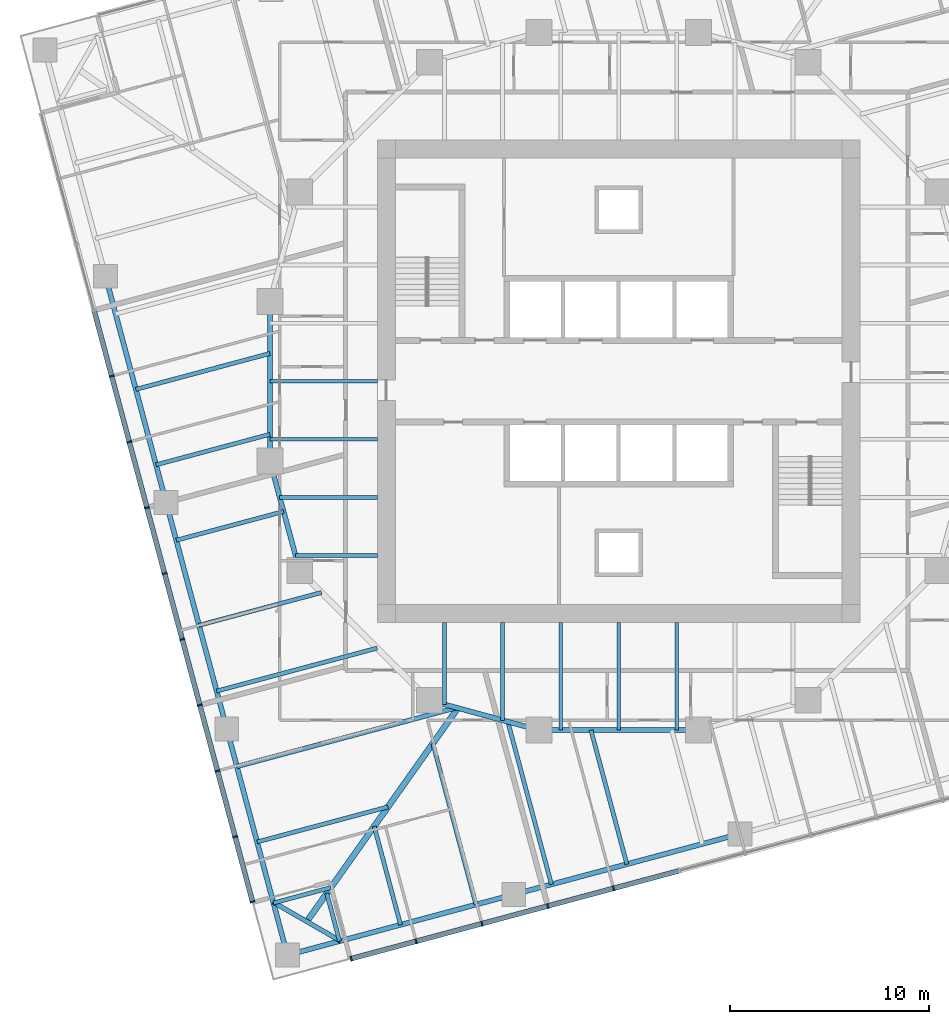
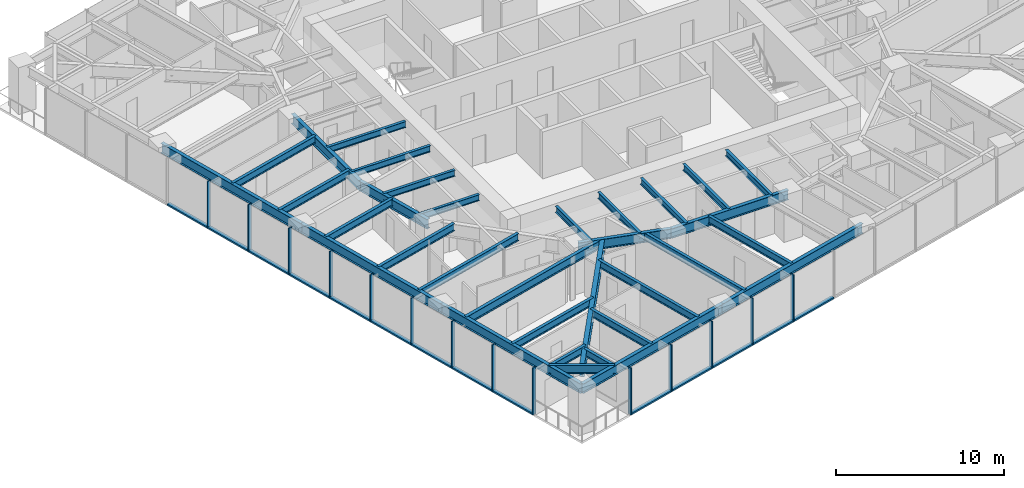
# One storey, part 2 of 13: 33 beams, 28 members, 2 elements without a shape of their own.
"""IFC4 building model written with IfcOpenShell, lengths in metres."""

from ifc_helpers import new_model, si_unit, direction, frame, origin, origin_2d, place, context, subcontext, project, spatial, rectangle, i_section, extrude, material, material_profile, profile_set, type_object, element, aggregate, save


model = new_model("IFC4")

# Units and contexts
model_context = context("Model", 3, precision=1e-05, world=origin(), true_north=direction((0.0, 1.0)))
body_context = subcontext(model_context, "Body", "Model", "MODEL_VIEW")
ifc_project = project(units=[si_unit("LENGTHUNIT", "METRE"), si_unit("AREAUNIT", "SQUARE_METRE"), si_unit("VOLUMEUNIT", "CUBIC_METRE"), si_unit("PLANEANGLEUNIT", "RADIAN"), si_unit("MASSUNIT", "GRAM", prefix="KILO")], contexts=[model_context])

# Site, building, storey
site_placement = place(None, origin())
site = spatial("IfcSite", under=ifc_project, at=site_placement, CompositionType="ELEMENT")
building_placement = place(site_placement, origin())
building = spatial("IfcBuilding", under=site, at=building_placement, Name="Torsade Residences", CompositionType="ELEMENT")
storey_placement = place(building_placement, frame((0.0, 0.0, 118.39990234375)))
storey = spatial("IfcBuildingStorey", under=building, at=storey_placement, Name="L32", CompositionType="ELEMENT", Elevation=118.39990234375)

# Beams
ifc_material_1 = material(Name="Steel grade 300", Category="steel")
ifc_material_profile_1 = material_profile(ifc_material_1, i_section(OverallWidth=0.300048828125, OverallDepth=0.89990234375, WebThickness=0.011962890625, FlangeThickness=0.02490234375, at=origin_2d()), Name="900WB175")
ifc_profile_set_1 = profile_set([ifc_material_profile_1], Name="Steel grade 300")
beam_type_1 = type_object("IfcBeamType", Name="CORNER GIRDER 900WB175", PredefinedType="BEAM", material=ifc_profile_set_1)
beam_1_placement = place(storey_placement, frame((24.355224609375, 2.902587890625, 2.800048828125), z_axis=(0.577683167004, 0.816261084801, 0.0), x_axis=(-0.816261084801, 0.577683167004, 0.0)))
element("IfcBeam", 1, at=beam_1_placement, inside=storey, type_object=beam_type_1, Name="Corner girder 01 L33", PredefinedType="BEAM", context=body_context, shape_type="SweptSolid", body=[
    extrude(i_section(OverallWidth=0.300048828125, OverallDepth=0.89990234375, WebThickness=0.011962890625, FlangeThickness=0.02490234375, at=origin_2d()), origin(), (0.0, 0.0, 1.0), 13.116943359375),
])
ifc_material_2 = material(Name="Steel grade 300", Category="steel")
ifc_material_profile_2 = material_profile(ifc_material_2, i_section(OverallWidth=0.22802734375, OverallDepth=0.60205078125, WebThickness=0.010498046875, FlangeThickness=0.014892578125, FilletRadius=0.013916015625, at=origin_2d()), Name="610UB101")
ifc_profile_set_2 = profile_set([ifc_material_profile_2], Name="Steel grade 300")
beam_type_2 = type_object("IfcBeamType", Name="CORNER TRIMMER 610UB101", PredefinedType="BEAM", material=ifc_profile_set_2)
beam_2_placement = place(storey_placement, frame((26.039306640625, 1.93017578125, 2.94921875), z_axis=(-0.866028782848, 0.499994147244, 0.0), x_axis=(-0.499994147244, -0.866028782848, 0.0)))
element("IfcBeam", 2, at=beam_2_placement, inside=storey, type_object=beam_type_2, Name="Corner trimmer 01 L33", PredefinedType="BEAM", context=body_context, shape_type="SweptSolid", body=[
    extrude(i_section(OverallWidth=0.22802734375, OverallDepth=0.60205078125, WebThickness=0.010498046875, FlangeThickness=0.014892578125, FilletRadius=0.013916015625, at=origin_2d()), origin(), (0.0, 0.0, 1.0), 3.88916015625),
])
ifc_material_3 = material(Name="Steel grade 300", Category="steel")
ifc_material_profile_3 = material_profile(ifc_material_3, i_section(OverallWidth=0.25, OverallDepth=0.699951171875, WebThickness=0.010009765625, FlangeThickness=0.02001953125, at=origin_2d()), Name="700WB130")
ifc_profile_set_3 = profile_set([ifc_material_profile_3], Name="Steel grade 300")
beam_type_3 = type_object("IfcBeamType", Name="EDGE BEAM 700WB130", PredefinedType="SPANDREL", material=ifc_profile_set_3)
for number, where, z_axis, x_axis, name in (
    (3, (23.383056640625, 1.218505859375, 2.900146484375), (0.965928018634, 0.258810863021, 0.0), (-0.258810863021, 0.965928018634, 0.0), "Edge beam 01 L33"),
    (4, (34.732666015625, 4.259521484375, 2.900146484375), (0.965922824118, 0.258830249097, 0.0), (-0.258830249097, 0.965922824118, 0.0), "Edge beam 02 L33"),
    (5, (14.259521484375, 35.267333984375, 2.900146484375), (0.258830249097, -0.965922824118, 0.0), (0.965922824118, 0.258830249097, 0.0), "Edge beam 14 L33"),
    (6, (17.30078125, 23.917724609375, 2.900146484375), (0.258810863021, -0.965928018634, 0.0), (0.965928018634, 0.258810863021, 0.0), "Edge beam 15 L33"),
    (7, (20.341796875, 12.568115234375, 2.900146484375), (0.258830249097, -0.965922824118, 0.0), (0.965922824118, 0.258830249097, 0.0), "Edge beam 16 L33"),
):
    element("IfcBeam", number, at=place(storey_placement, frame(where, z_axis=z_axis, x_axis=x_axis)), inside=storey, type_object=beam_type_3, Name=name, PredefinedType="SPANDREL", context=body_context, shape_type="SweptSolid", body=[
        extrude(i_section(OverallWidth=0.25, OverallDepth=0.699951171875, WebThickness=0.010009765625, FlangeThickness=0.02001953125, at=origin_2d()), origin(), (0.0, 0.0, 1.0), 11.75),
    ])
ifc_material_4 = material(Name="Steel grade 300", Category="steel")
ifc_material_profile_4 = material_profile(ifc_material_4, i_section(OverallWidth=0.18994140625, OverallDepth=0.4541015625, WebThickness=0.008544921875, FlangeThickness=0.0126953125, FilletRadius=0.011474609375, at=origin_2d()), Name="460UB67.1")
ifc_profile_set_4 = profile_set([ifc_material_profile_4], Name="Steel grade 300")
beam_type_4 = type_object("IfcBeamType", Name="INNER FLOOR BEAM 460UB67.1", PredefinedType="JOIST", material=ifc_profile_set_4)
for number, where, z_axis, x_axis, name in (
    (8, (42.91259765625, 17.89990234375, 3.023193359375), (0.0, -1.0, 0.0), (1.0, 0.0, 0.0), "Inner floor beam IS03 L33"),
    (9, (40.0, 17.89990234375, 3.023193359375), (0.0, -1.0, 0.0), (1.0, 0.0, 0.0), "Inner floor beam IS04 L33"),
    (10, (37.08740234375, 17.89990234375, 3.023193359375), (0.0, -1.0, 0.0), (1.0, 0.0, 0.0), "Inner floor beam IS05 L33"),
):
    element("IfcBeam", number, at=place(storey_placement, frame(where, z_axis=z_axis, x_axis=x_axis)), inside=storey, type_object=beam_type_4, Name=name, PredefinedType="JOIST", context=body_context, shape_type="SweptSolid", body=[
        extrude(i_section(OverallWidth=0.18994140625, OverallDepth=0.4541015625, WebThickness=0.008544921875, FlangeThickness=0.0126953125, FilletRadius=0.011474609375, at=origin_2d()), origin(), (0.0, 0.0, 1.0), 5.39990234375),
    ])
beam_3_placement = place(storey_placement, frame((34.175048828125, 17.89990234375, 3.023193359375), z_axis=(0.0, -1.0, 0.0), x_axis=(1.0, 0.0, 0.0)))
element("IfcBeam", 11, at=beam_3_placement, inside=storey, type_object=beam_type_4, Name="Inner floor beam IS06 L33", PredefinedType="JOIST", context=body_context, shape_type="SweptSolid", body=[
    extrude(i_section(OverallWidth=0.18994140625, OverallDepth=0.4541015625, WebThickness=0.008544921875, FlangeThickness=0.0126953125, FilletRadius=0.011474609375, at=origin_2d()), origin(), (0.0, 0.0, 1.0), 4.902099609375),
])
beam_4_placement = place(storey_placement, frame((31.262451171875, 17.89990234375, 3.023193359375), z_axis=(0.0, -1.0, 0.0), x_axis=(1.0, 0.0, 0.0)))
element("IfcBeam", 12, at=beam_4_placement, inside=storey, type_object=beam_type_4, Name="Inner floor beam IS07 L33", PredefinedType="JOIST", context=body_context, shape_type="SweptSolid", body=[
    extrude(i_section(OverallWidth=0.18994140625, OverallDepth=0.4541015625, WebThickness=0.008544921875, FlangeThickness=0.0126953125, FilletRadius=0.011474609375, at=origin_2d()), origin(), (0.0, 0.0, 1.0), 4.10791015625),
])
for number, where, z_axis, x_axis, name in (
    (13, (27.89990234375, 30.0, 3.023193359375), (-1.0, 0.0, 0.0), (0.0, -1.0, 0.0), "Inner floor beam IW04 L33"),
    (14, (27.89990234375, 27.08740234375, 3.023193359375), (-1.0, 0.0, 0.0), (0.0, -1.0, 0.0), "Inner floor beam IW05 L33"),
):
    element("IfcBeam", number, at=place(storey_placement, frame(where, z_axis=z_axis, x_axis=x_axis)), inside=storey, type_object=beam_type_4, Name=name, PredefinedType="JOIST", context=body_context, shape_type="SweptSolid", body=[
        extrude(i_section(OverallWidth=0.18994140625, OverallDepth=0.4541015625, WebThickness=0.008544921875, FlangeThickness=0.0126953125, FilletRadius=0.011474609375, at=origin_2d()), origin(), (0.0, 0.0, 1.0), 5.39990234375),
    ])
beam_5_placement = place(storey_placement, frame((27.89990234375, 24.175048828125, 3.023193359375), z_axis=(-1.0, 0.0, 0.0), x_axis=(0.0, -1.0, 0.0)))
element("IfcBeam", 15, at=beam_5_placement, inside=storey, type_object=beam_type_4, Name="Inner floor beam IW06 L33", PredefinedType="JOIST", context=body_context, shape_type="SweptSolid", body=[
    extrude(i_section(OverallWidth=0.18994140625, OverallDepth=0.4541015625, WebThickness=0.008544921875, FlangeThickness=0.0126953125, FilletRadius=0.011474609375, at=origin_2d()), origin(), (0.0, 0.0, 1.0), 4.902099609375),
])
beam_6_placement = place(storey_placement, frame((27.89990234375, 21.262451171875, 3.023193359375), z_axis=(-1.0, 0.0, 0.0), x_axis=(0.0, -1.0, 0.0)))
element("IfcBeam", 16, at=beam_6_placement, inside=storey, type_object=beam_type_4, Name="Inner floor beam IW07 L33", PredefinedType="JOIST", context=body_context, shape_type="SweptSolid", body=[
    extrude(i_section(OverallWidth=0.18994140625, OverallDepth=0.4541015625, WebThickness=0.008544921875, FlangeThickness=0.0126953125, FilletRadius=0.011474609375, at=origin_2d()), origin(), (0.0, 0.0, 1.0), 4.10791015625),
])

# Curtain wall, members
ifc_material_5 = material(Name="Aluminium and glass", Category="aluminium")
curtain_wall_type = type_object("IfcCurtainWallType", Name="FRITTED GLASS CURTAIN WALL MID ZONE", PredefinedType="NOTDEFINED", material=ifc_material_5)
curtain_wall_1_placement = place(storey_placement, origin())
curtain_wall_1 = element("IfcCurtainWall", 17, at=curtain_wall_1_placement, inside=storey, type_object=curtain_wall_type, Name="Curtain wall L32 face 1", PredefinedType="NOTDEFINED")
ifc_material_6 = material(Name="Aluminium mullion", Category="aluminium")
ifc_material_profile_5 = material_profile(ifc_material_6, rectangle(XDim=0.25, YDim=0.080078125, at=origin_2d()), Name="MID ZONE CURTAIN WALL MULLION 250x80")
ifc_profile_set_5 = profile_set([ifc_material_profile_5], Name="Aluminium mullion")
member_type_1 = type_object("IfcMemberType", Name="MID ZONE CURTAIN WALL MULLION 250x80", PredefinedType="MULLION", material=ifc_profile_set_5)
member_1_placement = place(storey_placement, frame((26.578125, 1.039306640625, 0.0), z_axis=(0.0, 0.0, 1.0), x_axis=(-0.258819047783, 0.965925825571, 0.0)))
member_1 = element("IfcMember", 18, at=member_1_placement, type_object=member_type_1, Name="Mullion 1", PredefinedType="MULLION", context=body_context, shape_type="SweptSolid", body=[
    extrude(rectangle(XDim=0.25, YDim=0.080078125, at=origin_2d()), origin(), (0.0, 0.0, 1.0), 3.400146484375),
])
member_2_placement = place(storey_placement, frame((29.83984375, 1.913330078125, 0.0), z_axis=(0.0, 0.0, 1.0), x_axis=(-0.258819047783, 0.965925825571, 0.0)))
member_2 = element("IfcMember", 19, at=member_2_placement, type_object=member_type_1, Name="Mullion 2", PredefinedType="MULLION", context=body_context, shape_type="SweptSolid", body=[
    extrude(rectangle(XDim=0.25, YDim=0.080078125, at=origin_2d()), origin(), (0.0, 0.0, 1.0), 3.400146484375),
])
member_3_placement = place(storey_placement, frame((33.14013671875, 2.797607421875, 0.0), z_axis=(0.0, 0.0, 1.0), x_axis=(-0.258819047783, 0.965925825571, 0.0)))
member_3 = element("IfcMember", 20, at=member_3_placement, type_object=member_type_1, Name="Mullion 3", PredefinedType="MULLION", context=body_context, shape_type="SweptSolid", body=[
    extrude(rectangle(XDim=0.25, YDim=0.080078125, at=origin_2d()), origin(), (0.0, 0.0, 1.0), 3.400146484375),
])
member_4_placement = place(storey_placement, frame((36.4404296875, 3.681884765625, 0.0), z_axis=(0.0, 0.0, 1.0), x_axis=(-0.258819047783, 0.965925825571, 0.0)))
member_4 = element("IfcMember", 21, at=member_4_placement, type_object=member_type_1, Name="Mullion 4", PredefinedType="MULLION", context=body_context, shape_type="SweptSolid", body=[
    extrude(rectangle(XDim=0.25, YDim=0.080078125, at=origin_2d()), origin(), (0.0, 0.0, 1.0), 3.400146484375),
])
member_5_placement = place(storey_placement, frame((39.740478515625, 4.566162109375, 0.0), z_axis=(0.0, 0.0, 1.0), x_axis=(-0.258819047783, 0.965925825571, 0.0)))
member_5 = element("IfcMember", 22, at=member_5_placement, type_object=member_type_1, Name="Mullion 5", PredefinedType="MULLION", context=body_context, shape_type="SweptSolid", body=[
    extrude(rectangle(XDim=0.25, YDim=0.080078125, at=origin_2d()), origin(), (0.0, 0.0, 1.0), 3.400146484375),
])

curtain_wall_2_placement = place(storey_placement, origin())
curtain_wall_2 = element("IfcCurtainWall", 23, at=curtain_wall_2_placement, inside=storey, type_object=curtain_wall_type, Name="Curtain wall L32 face 10", PredefinedType="NOTDEFINED")
member_6_placement = place(storey_placement, frame((14.566162109375, 30.259521484375, 0.0), z_axis=(0.0, 0.0, 1.0), x_axis=(0.965925825571, 0.258819047783, 0.0)))
member_6 = element("IfcMember", 24, at=member_6_placement, type_object=member_type_1, Name="Mullion 5", PredefinedType="MULLION", context=body_context, shape_type="SweptSolid", body=[
    extrude(rectangle(XDim=0.25, YDim=0.080078125, at=origin_2d()), origin(), (0.0, 0.0, 1.0), 3.400146484375),
])
member_7_placement = place(storey_placement, frame((15.450439453125, 26.959228515625, 0.0), z_axis=(0.0, 0.0, 1.0), x_axis=(0.965925825571, 0.258819047783, 0.0)))
member_7 = element("IfcMember", 25, at=member_7_placement, type_object=member_type_1, Name="Mullion 6", PredefinedType="MULLION", context=body_context, shape_type="SweptSolid", body=[
    extrude(rectangle(XDim=0.25, YDim=0.080078125, at=origin_2d()), origin(), (0.0, 0.0, 1.0), 3.400146484375),
])
member_8_placement = place(storey_placement, frame((16.334716796875, 23.658935546875, 0.0), z_axis=(0.0, 0.0, 1.0), x_axis=(0.965925825571, 0.258819047783, 0.0)))
member_8 = element("IfcMember", 26, at=member_8_placement, type_object=member_type_1, Name="Mullion 7", PredefinedType="MULLION", context=body_context, shape_type="SweptSolid", body=[
    extrude(rectangle(XDim=0.25, YDim=0.080078125, at=origin_2d()), origin(), (0.0, 0.0, 1.0), 3.400146484375),
])
member_9_placement = place(storey_placement, frame((17.218994140625, 20.358642578125, 0.0), z_axis=(0.0, 0.0, 1.0), x_axis=(0.965925825571, 0.258819047783, 0.0)))
member_9 = element("IfcMember", 27, at=member_9_placement, type_object=member_type_1, Name="Mullion 8", PredefinedType="MULLION", context=body_context, shape_type="SweptSolid", body=[
    extrude(rectangle(XDim=0.25, YDim=0.080078125, at=origin_2d()), origin(), (0.0, 0.0, 1.0), 3.400146484375),
])
member_10_placement = place(storey_placement, frame((18.103515625, 17.058349609375, 0.0), z_axis=(0.0, 0.0, 1.0), x_axis=(0.965925825571, 0.258819047783, 0.0)))
member_10 = element("IfcMember", 28, at=member_10_placement, type_object=member_type_1, Name="Mullion 9", PredefinedType="MULLION", context=body_context, shape_type="SweptSolid", body=[
    extrude(rectangle(XDim=0.25, YDim=0.080078125, at=origin_2d()), origin(), (0.0, 0.0, 1.0), 3.400146484375),
])
member_11_placement = place(storey_placement, frame((18.98779296875, 13.75830078125, 0.0), z_axis=(0.0, 0.0, 1.0), x_axis=(0.965925825571, 0.258819047783, 0.0)))
member_11 = element("IfcMember", 29, at=member_11_placement, type_object=member_type_1, Name="Mullion 10", PredefinedType="MULLION", context=body_context, shape_type="SweptSolid", body=[
    extrude(rectangle(XDim=0.25, YDim=0.080078125, at=origin_2d()), origin(), (0.0, 0.0, 1.0), 3.400146484375),
])
member_12_placement = place(storey_placement, frame((19.8720703125, 10.4580078125, 0.0), z_axis=(0.0, 0.0, 1.0), x_axis=(0.965925825571, 0.258819047783, 0.0)))
member_12 = element("IfcMember", 30, at=member_12_placement, type_object=member_type_1, Name="Mullion 11", PredefinedType="MULLION", context=body_context, shape_type="SweptSolid", body=[
    extrude(rectangle(XDim=0.25, YDim=0.080078125, at=origin_2d()), origin(), (0.0, 0.0, 1.0), 3.400146484375),
])
member_13_placement = place(storey_placement, frame((20.75634765625, 7.15771484375, 0.0), z_axis=(0.0, 0.0, 1.0), x_axis=(0.965925825571, 0.258819047783, 0.0)))
member_13 = element("IfcMember", 31, at=member_13_placement, type_object=member_type_1, Name="Mullion 12", PredefinedType="MULLION", context=body_context, shape_type="SweptSolid", body=[
    extrude(rectangle(XDim=0.25, YDim=0.080078125, at=origin_2d()), origin(), (0.0, 0.0, 1.0), 3.400146484375),
])
member_14_placement = place(storey_placement, frame((21.63037109375, 3.89599609375, 0.0), z_axis=(0.0, 0.0, 1.0), x_axis=(0.965925825571, 0.258819047783, 0.0)))
member_14 = element("IfcMember", 32, at=member_14_placement, type_object=member_type_1, Name="Mullion 13", PredefinedType="MULLION", context=body_context, shape_type="SweptSolid", body=[
    extrude(rectangle(XDim=0.25, YDim=0.080078125, at=origin_2d()), origin(), (0.0, 0.0, 1.0), 3.400146484375),
])

# Member
ifc_material_7 = material(Name="Aluminium transom", Category="aluminium")
ifc_material_profile_6 = material_profile(ifc_material_7, rectangle(XDim=0.25, YDim=0.110107421875, at=origin_2d()), Name="MID ZONE CURTAIN WALL TRANSOM 250x110")
ifc_profile_set_6 = profile_set([ifc_material_profile_6], Name="Aluminium transom")
member_type_2 = type_object("IfcMemberType", Name="MID ZONE CURTAIN WALL TRANSOM 250x110", PredefinedType="USERDEFINED", material=ifc_profile_set_6)
member_15_placement = place(storey_placement, frame((26.616943359375, 1.0498046875, 0.05517578125), z_axis=(0.965923258633, 0.258828627534, 0.0), x_axis=(-0.258828627534, 0.965923258633, 0.0)))
member_15 = element("IfcMember", 33, at=member_15_placement, type_object=member_type_2, Name="Transom 1.1", ObjectType="TRANSOM", PredefinedType="USERDEFINED", context=body_context, shape_type="SweptSolid", body=[
    extrude(rectangle(XDim=0.25, YDim=0.110107421875, at=origin_2d()), origin(), (0.0, 0.0, 1.0), 3.296630859375),
])

member_16_placement = place(storey_placement, frame((29.87841796875, 1.923583984375, 0.05517578125), z_axis=(0.965916044226, 0.258855549498, 0.0), x_axis=(-0.258855549498, 0.965916044226, 0.0)))
member_16 = element("IfcMember", 34, at=member_16_placement, type_object=member_type_2, Name="Transom 2.1", ObjectType="TRANSOM", PredefinedType="USERDEFINED", context=body_context, shape_type="SweptSolid", body=[
    extrude(rectangle(XDim=0.25, YDim=0.110107421875, at=origin_2d()), origin(), (0.0, 0.0, 1.0), 3.3369140625),
])

member_17_placement = place(storey_placement, frame((33.1787109375, 2.807861328125, 0.05517578125), z_axis=(0.96591114124, 0.258873844232, 0.0), x_axis=(-0.258873844232, 0.96591114124, 0.0)))
member_17 = element("IfcMember", 35, at=member_17_placement, type_object=member_type_2, Name="Transom 3.1", ObjectType="TRANSOM", PredefinedType="USERDEFINED", context=body_context, shape_type="SweptSolid", body=[
    extrude(rectangle(XDim=0.25, YDim=0.110107421875, at=origin_2d()), origin(), (0.0, 0.0, 1.0), 3.336669921875),
])

member_18_placement = place(storey_placement, frame((36.47900390625, 3.6923828125, 0.05517578125), z_axis=(0.965929435155, 0.258805576255, 0.0), x_axis=(-0.258805576255, 0.965929435155, 0.0)))
member_18 = element("IfcMember", 36, at=member_18_placement, type_object=member_type_2, Name="Transom 4.1", ObjectType="TRANSOM", PredefinedType="USERDEFINED", context=body_context, shape_type="SweptSolid", body=[
    extrude(rectangle(XDim=0.25, YDim=0.110107421875, at=origin_2d()), origin(), (0.0, 0.0, 1.0), 3.336669921875),
])

member_19_placement = place(storey_placement, frame((39.779296875, 4.57666015625, 0.05517578125), z_axis=(0.965929435155, 0.258805576255, 0.0), x_axis=(-0.258805576255, 0.965929435155, 0.0)))
member_19 = element("IfcMember", 37, at=member_19_placement, type_object=member_type_2, Name="Transom 5.1", ObjectType="TRANSOM", PredefinedType="USERDEFINED", context=body_context, shape_type="SweptSolid", body=[
    extrude(rectangle(XDim=0.25, YDim=0.110107421875, at=origin_2d()), origin(), (0.0, 0.0, 1.0), 3.336669921875),
])

aggregate(curtain_wall_1, [member_1, member_2, member_3, member_4, member_5, member_15, member_16, member_17, member_18, member_19])

member_20_placement = place(storey_placement, frame((13.6923828125, 33.52099609375, 0.05517578125), z_axis=(0.258805576255, -0.965929435155, 0.0), x_axis=(0.965929435155, 0.258805576255, 0.0)))
member_20 = element("IfcMember", 38, at=member_20_placement, type_object=member_type_2, Name="Transom 4.1", ObjectType="TRANSOM", PredefinedType="USERDEFINED", context=body_context, shape_type="SweptSolid", body=[
    extrude(rectangle(XDim=0.25, YDim=0.110107421875, at=origin_2d()), origin(), (0.0, 0.0, 1.0), 3.336669921875),
])

member_21_placement = place(storey_placement, frame((14.57666015625, 30.220703125, 0.05517578125), z_axis=(0.258805576255, -0.965929435155, 0.0), x_axis=(0.965929435155, 0.258805576255, 0.0)))
member_21 = element("IfcMember", 39, at=member_21_placement, type_object=member_type_2, Name="Transom 5.1", ObjectType="TRANSOM", PredefinedType="USERDEFINED", context=body_context, shape_type="SweptSolid", body=[
    extrude(rectangle(XDim=0.25, YDim=0.110107421875, at=origin_2d()), origin(), (0.0, 0.0, 1.0), 3.336669921875),
])

member_22_placement = place(storey_placement, frame((15.4609375, 26.920654296875, 0.05517578125), z_axis=(0.258787285653, -0.965934335648, 0.0), x_axis=(0.965934335648, 0.258787285653, 0.0)))
member_22 = element("IfcMember", 40, at=member_22_placement, type_object=member_type_2, Name="Transom 6.1", ObjectType="TRANSOM", PredefinedType="USERDEFINED", context=body_context, shape_type="SweptSolid", body=[
    extrude(rectangle(XDim=0.25, YDim=0.110107421875, at=origin_2d()), origin(), (0.0, 0.0, 1.0), 3.3369140625),
])

member_23_placement = place(storey_placement, frame((16.34521484375, 23.620361328125, 0.05517578125), z_axis=(0.258787285653, -0.965934335648, 0.0), x_axis=(0.965934335648, 0.258787285653, 0.0)))
member_23 = element("IfcMember", 41, at=member_23_placement, type_object=member_type_2, Name="Transom 7.1", ObjectType="TRANSOM", PredefinedType="USERDEFINED", context=body_context, shape_type="SweptSolid", body=[
    extrude(rectangle(XDim=0.25, YDim=0.110107421875, at=origin_2d()), origin(), (0.0, 0.0, 1.0), 3.3369140625),
])

member_24_placement = place(storey_placement, frame((17.2294921875, 20.320068359375, 0.05517578125), z_axis=(0.258805576255, -0.965929435155, 0.0), x_axis=(0.965929435155, 0.258805576255, 0.0)))
member_24 = element("IfcMember", 42, at=member_24_placement, type_object=member_type_2, Name="Transom 8.1", ObjectType="TRANSOM", PredefinedType="USERDEFINED", context=body_context, shape_type="SweptSolid", body=[
    extrude(rectangle(XDim=0.25, YDim=0.110107421875, at=origin_2d()), origin(), (0.0, 0.0, 1.0), 3.336669921875),
])

member_25_placement = place(storey_placement, frame((18.11376953125, 17.019775390625, 0.05517578125), z_axis=(0.258805576255, -0.965929435155, 0.0), x_axis=(0.965929435155, 0.258805576255, 0.0)))
member_25 = element("IfcMember", 43, at=member_25_placement, type_object=member_type_2, Name="Transom 9.1", ObjectType="TRANSOM", PredefinedType="USERDEFINED", context=body_context, shape_type="SweptSolid", body=[
    extrude(rectangle(XDim=0.25, YDim=0.110107421875, at=origin_2d()), origin(), (0.0, 0.0, 1.0), 3.336669921875),
])

member_26_placement = place(storey_placement, frame((18.998046875, 13.719482421875, 0.05517578125), z_axis=(0.258805576255, -0.965929435155, 0.0), x_axis=(0.965929435155, 0.258805576255, 0.0)))
member_26 = element("IfcMember", 44, at=member_26_placement, type_object=member_type_2, Name="Transom 10.1", ObjectType="TRANSOM", PredefinedType="USERDEFINED", context=body_context, shape_type="SweptSolid", body=[
    extrude(rectangle(XDim=0.25, YDim=0.110107421875, at=origin_2d()), origin(), (0.0, 0.0, 1.0), 3.336669921875),
])

member_27_placement = place(storey_placement, frame((19.88232421875, 10.419189453125, 0.05517578125), z_axis=(0.258805576255, -0.965929435155, 0.0), x_axis=(0.965929435155, 0.258805576255, 0.0)))
member_27 = element("IfcMember", 45, at=member_27_placement, type_object=member_type_2, Name="Transom 11.1", ObjectType="TRANSOM", PredefinedType="USERDEFINED", context=body_context, shape_type="SweptSolid", body=[
    extrude(rectangle(XDim=0.25, YDim=0.110107421875, at=origin_2d()), origin(), (0.0, 0.0, 1.0), 3.336669921875),
])

member_28_placement = place(storey_placement, frame((20.7666015625, 7.119140625, 0.05517578125), z_axis=(0.258828627534, -0.965923258633, 0.0), x_axis=(0.965923258633, 0.258828627534, 0.0)))
member_28 = element("IfcMember", 46, at=member_28_placement, type_object=member_type_2, Name="Transom 12.1", ObjectType="TRANSOM", PredefinedType="USERDEFINED", context=body_context, shape_type="SweptSolid", body=[
    extrude(rectangle(XDim=0.25, YDim=0.110107421875, at=origin_2d()), origin(), (0.0, 0.0, 1.0), 3.296630859375),
])

aggregate(curtain_wall_2, [member_6, member_7, member_8, member_9, member_10, member_11, member_12, member_13, member_14, member_20, member_21, member_22, member_23, member_24, member_25, member_26, member_27, member_28])

# Beams
ifc_material_8 = material(Name="Steel grade 300", Category="steel")
ifc_material_profile_7 = material_profile(ifc_material_8, i_section(OverallWidth=0.25, OverallDepth=0.699951171875, WebThickness=0.010009765625, FlangeThickness=0.02001953125, at=origin_2d()), Name="700WB130")
ifc_profile_set_7 = profile_set([ifc_material_profile_7], Name="Steel grade 300")
beam_type_5 = type_object("IfcBeamType", Name="RING GIRDER 700WB130", PredefinedType="BEAM", material=ifc_profile_set_7)
beam_7_placement = place(storey_placement, frame((22.5, 34.0, 2.900146484375), z_axis=(0.0, -1.0, 0.0), x_axis=(1.0, 0.0, 0.0)))
element("IfcBeam", 47, at=beam_7_placement, inside=storey, type_object=beam_type_5, Name="Ring girder IR09 L33", PredefinedType="BEAM", context=body_context, shape_type="SweptSolid", body=[
    extrude(i_section(OverallWidth=0.25, OverallDepth=0.699951171875, WebThickness=0.010009765625, FlangeThickness=0.02001953125, at=origin_2d()), origin(), (0.0, 0.0, 1.0), 8.0),
])
for number, where, z_axis, x_axis, name in (
    (48, (22.5, 26.0, 2.900146484375), (0.263117405792, -0.964763821238, 0.0), (0.964763821238, 0.263117405792, 0.0), "Ring girder IR10 L33"),
    (49, (30.5, 14.0, 2.900146484375), (0.964763821238, -0.263117405792, 0.0), (0.263117405792, 0.964763821238, 0.0), "Ring girder IR12 L33"),
):
    element("IfcBeam", number, at=place(storey_placement, frame(where, z_axis=z_axis, x_axis=x_axis)), inside=storey, type_object=beam_type_5, Name=name, PredefinedType="BEAM", context=body_context, shape_type="SweptSolid", body=[
        extrude(i_section(OverallWidth=0.25, OverallDepth=0.699951171875, WebThickness=0.010009765625, FlangeThickness=0.02001953125, at=origin_2d()), origin(), (0.0, 0.0, 1.0), 5.700927734375),
    ])
beam_8_placement = place(storey_placement, frame((36.0, 12.5, 2.900146484375), z_axis=(1.0, 0.0, 0.0), x_axis=(0.0, 1.0, 0.0)))
element("IfcBeam", 50, at=beam_8_placement, inside=storey, type_object=beam_type_5, Name="Ring girder IR13 L33", PredefinedType="BEAM", context=body_context, shape_type="SweptSolid", body=[
    extrude(i_section(OverallWidth=0.25, OverallDepth=0.699951171875, WebThickness=0.010009765625, FlangeThickness=0.02001953125, at=origin_2d()), origin(), (0.0, 0.0, 1.0), 8.0),
])
ifc_material_9 = material(Name="Steel grade 300", Category="steel")
ifc_material_profile_8 = material_profile(ifc_material_9, i_section(OverallWidth=0.208984375, OverallDepth=0.528076171875, WebThickness=0.009521484375, FlangeThickness=0.01318359375, FilletRadius=0.013916015625, at=origin_2d()), Name="530UB82.0")
ifc_profile_set_8 = profile_set([ifc_material_profile_8], Name="Steel grade 300")
beam_type_6 = type_object("IfcBeamType", Name="SECONDARY BEAM 530UB82.0", PredefinedType="JOIST", material=ifc_profile_set_8)
beam_9_placement = place(storey_placement, frame((25.9990234375, 1.91943359375, 2.986083984375), z_axis=(-0.258837674225, 0.965920834438, 0.0), x_axis=(-0.965920834438, -0.258837674225, 0.0)))
element("IfcBeam", 51, at=beam_9_placement, inside=storey, type_object=beam_type_6, Name="Floor beam FS01 L33", PredefinedType="JOIST", context=body_context, shape_type="SweptSolid", body=[
    extrude(i_section(OverallWidth=0.208984375, OverallDepth=0.528076171875, WebThickness=0.009521484375, FlangeThickness=0.01318359375, FilletRadius=0.013916015625, at=origin_2d()), origin(), (0.0, 0.0, 1.0), 2.482666015625),
])
beam_10_placement = place(storey_placement, frame((29.057861328125, 2.739013671875, 2.986083984375), z_axis=(-0.258815647274, 0.965926736728, 0.0), x_axis=(-0.965926736728, -0.258815647274, 0.0)))
element("IfcBeam", 52, at=beam_10_placement, inside=storey, type_object=beam_type_6, Name="Floor beam FS02 L33", PredefinedType="JOIST", context=body_context, shape_type="SweptSolid", body=[
    extrude(i_section(OverallWidth=0.208984375, OverallDepth=0.528076171875, WebThickness=0.009521484375, FlangeThickness=0.01318359375, FilletRadius=0.013916015625, at=origin_2d()), origin(), (0.0, 0.0, 1.0), 5.11279296875),
])
beam_11_placement = place(storey_placement, frame((32.841064453125, 3.752685546875, 2.986083984375), z_axis=(-0.258823120582, 0.965924734258, 0.0), x_axis=(-0.965924734258, -0.258823120582, 0.0)))
element("IfcBeam", 53, at=beam_11_placement, inside=storey, type_object=beam_type_6, Name="Floor beam FS03 L33", PredefinedType="JOIST", context=body_context, shape_type="SweptSolid", body=[
    extrude(i_section(OverallWidth=0.208984375, OverallDepth=0.528076171875, WebThickness=0.009521484375, FlangeThickness=0.01318359375, FilletRadius=0.013916015625, at=origin_2d()), origin(), (0.0, 0.0, 1.0), 8.365966796875),
])
beam_12_placement = place(storey_placement, frame((36.624267578125, 4.766357421875, 2.986083984375), z_axis=(-0.258808315464, 0.965928701223, 0.0), x_axis=(-0.965928701223, -0.258808315464, 0.0)))
element("IfcBeam", 54, at=beam_12_placement, inside=storey, type_object=beam_type_6, Name="Floor beam FS04 L33", PredefinedType="JOIST", context=body_context, shape_type="SweptSolid", body=[
    extrude(i_section(OverallWidth=0.208984375, OverallDepth=0.528076171875, WebThickness=0.009521484375, FlangeThickness=0.01318359375, FilletRadius=0.013916015625, at=origin_2d()), origin(), (0.0, 0.0, 1.0), 8.447509765625),
])
for number, where, z_axis, x_axis, name in (
    (55, (40.407470703125, 5.7802734375, 2.986083984375), (-0.258817945835, 0.965926120836, 0.0), (-0.965926120836, -0.258817945835, 0.0), "Floor beam FS05 L33"),
    (56, (15.7802734375, 29.592529296875, 2.986083984375), (0.965926120836, 0.258817945835, 0.0), (-0.258817945835, 0.965926120836, 0.0), "Floor beam FW05 L33"),
):
    element("IfcBeam", number, at=place(storey_placement, frame(where, z_axis=z_axis, x_axis=x_axis)), inside=storey, type_object=beam_type_6, Name=name, PredefinedType="JOIST", context=body_context, shape_type="SweptSolid", body=[
        extrude(i_section(OverallWidth=0.208984375, OverallDepth=0.528076171875, WebThickness=0.009521484375, FlangeThickness=0.01318359375, FilletRadius=0.013916015625, at=origin_2d()), origin(), (0.0, 0.0, 1.0), 6.956787109375),
    ])
beam_13_placement = place(storey_placement, frame((16.7939453125, 25.809326171875, 2.986083984375), z_axis=(0.965920748174, 0.258837996141, 0.0), x_axis=(-0.258837996141, 0.965920748174, 0.0)))
element("IfcBeam", 57, at=beam_13_placement, inside=storey, type_object=beam_type_6, Name="Floor beam FW06 L33", PredefinedType="JOIST", context=body_context, shape_type="SweptSolid", body=[
    extrude(i_section(OverallWidth=0.208984375, OverallDepth=0.528076171875, WebThickness=0.009521484375, FlangeThickness=0.01318359375, FilletRadius=0.013916015625, at=origin_2d()), origin(), (0.0, 0.0, 1.0), 5.907470703125),
])
beam_14_placement = place(storey_placement, frame((17.8076171875, 22.026123046875, 2.986083984375), z_axis=(0.965923020144, 0.258829517553, 0.0), x_axis=(-0.258829517553, 0.965923020144, 0.0)))
element("IfcBeam", 58, at=beam_14_placement, inside=storey, type_object=beam_type_6, Name="Floor beam FW07 L33", PredefinedType="JOIST", context=body_context, shape_type="SweptSolid", body=[
    extrude(i_section(OverallWidth=0.208984375, OverallDepth=0.528076171875, WebThickness=0.009521484375, FlangeThickness=0.01318359375, FilletRadius=0.013916015625, at=origin_2d()), origin(), (0.0, 0.0, 1.0), 5.57275390625),
])
beam_15_placement = place(storey_placement, frame((18.95068359375, 17.760009765625, 2.986083984375), z_axis=(0.965929717932, 0.258804520856, 0.0), x_axis=(-0.258804520856, 0.965929717932, 0.0)))
element("IfcBeam", 59, at=beam_15_placement, inside=storey, type_object=beam_type_6, Name="Floor beam FW08 L33", PredefinedType="JOIST", context=body_context, shape_type="SweptSolid", body=[
    extrude(i_section(OverallWidth=0.208984375, OverallDepth=0.528076171875, WebThickness=0.009521484375, FlangeThickness=0.01318359375, FilletRadius=0.013916015625, at=origin_2d()), origin(), (0.0, 0.0, 1.0), 6.360107421875),
])
beam_16_placement = place(storey_placement, frame((19.8349609375, 14.459716796875, 2.986083984375), z_axis=(0.96592202475, 0.258833232221, 0.0), x_axis=(-0.258833232221, 0.96592202475, 0.0)))
element("IfcBeam", 60, at=beam_16_placement, inside=storey, type_object=beam_type_6, Name="Floor beam FW09 L33", PredefinedType="JOIST", context=body_context, shape_type="SweptSolid", body=[
    extrude(i_section(OverallWidth=0.208984375, OverallDepth=0.528076171875, WebThickness=0.009521484375, FlangeThickness=0.01318359375, FilletRadius=0.013916015625, at=origin_2d()), origin(), (0.0, 0.0, 1.0), 8.33251953125),
])
beam_17_placement = place(storey_placement, frame((21.862548828125, 6.893310546875, 2.986083984375), z_axis=(0.965927035229, 0.258814533235, 0.0), x_axis=(-0.258814533235, 0.965927035229, 0.0)))
element("IfcBeam", 61, at=beam_17_placement, inside=storey, type_object=beam_type_6, Name="Floor beam FW11 L33", PredefinedType="JOIST", context=body_context, shape_type="SweptSolid", body=[
    extrude(i_section(OverallWidth=0.208984375, OverallDepth=0.528076171875, WebThickness=0.009521484375, FlangeThickness=0.01318359375, FilletRadius=0.013916015625, at=origin_2d()), origin(), (0.0, 0.0, 1.0), 6.792724609375),
])
beam_18_placement = place(storey_placement, frame((22.68212890625, 3.83447265625, 2.986083984375), z_axis=(0.965913310475, 0.258865750242, 0.0), x_axis=(-0.258865750242, 0.965913310475, 0.0)))
element("IfcBeam", 62, at=beam_18_placement, inside=storey, type_object=beam_type_6, Name="Floor beam FW12 L33", PredefinedType="JOIST", context=body_context, shape_type="SweptSolid", body=[
    extrude(i_section(OverallWidth=0.208984375, OverallDepth=0.528076171875, WebThickness=0.009521484375, FlangeThickness=0.01318359375, FilletRadius=0.013916015625, at=origin_2d()), origin(), (0.0, 0.0, 1.0), 2.980224609375),
])
ifc_material_10 = material(Name="Steel grade 300", Category="steel")
ifc_material_profile_9 = material_profile(ifc_material_10, i_section(OverallWidth=0.22900390625, OverallDepth=0.612060546875, WebThickness=0.011962890625, FlangeThickness=0.01953125, FilletRadius=0.013916015625, at=origin_2d()), Name="610UB125")
ifc_profile_set_9 = profile_set([ifc_material_profile_9], Name="Steel grade 300")
beam_type_7 = type_object("IfcBeamType", Name="SECONDARY BEAM 610UB125", PredefinedType="JOIST", material=ifc_profile_set_9)
beam_19_placement = place(storey_placement, frame((20.8486328125, 10.676513671875, 2.944091796875), z_axis=(0.965929035417, 0.258807068179, 0.0), x_axis=(-0.258807068179, 0.965929035417, 0.0)))
element("IfcBeam", 63, at=beam_19_placement, inside=storey, type_object=beam_type_7, Name="Floor beam FW10 L33", PredefinedType="JOIST", context=body_context, shape_type="SweptSolid", body=[
    extrude(i_section(OverallWidth=0.22900390625, OverallDepth=0.612060546875, WebThickness=0.011962890625, FlangeThickness=0.01953125, FilletRadius=0.013916015625, at=origin_2d()), origin(), (0.0, 0.0, 1.0), 11.40380859375),
])

save(model, "model.ifc")
